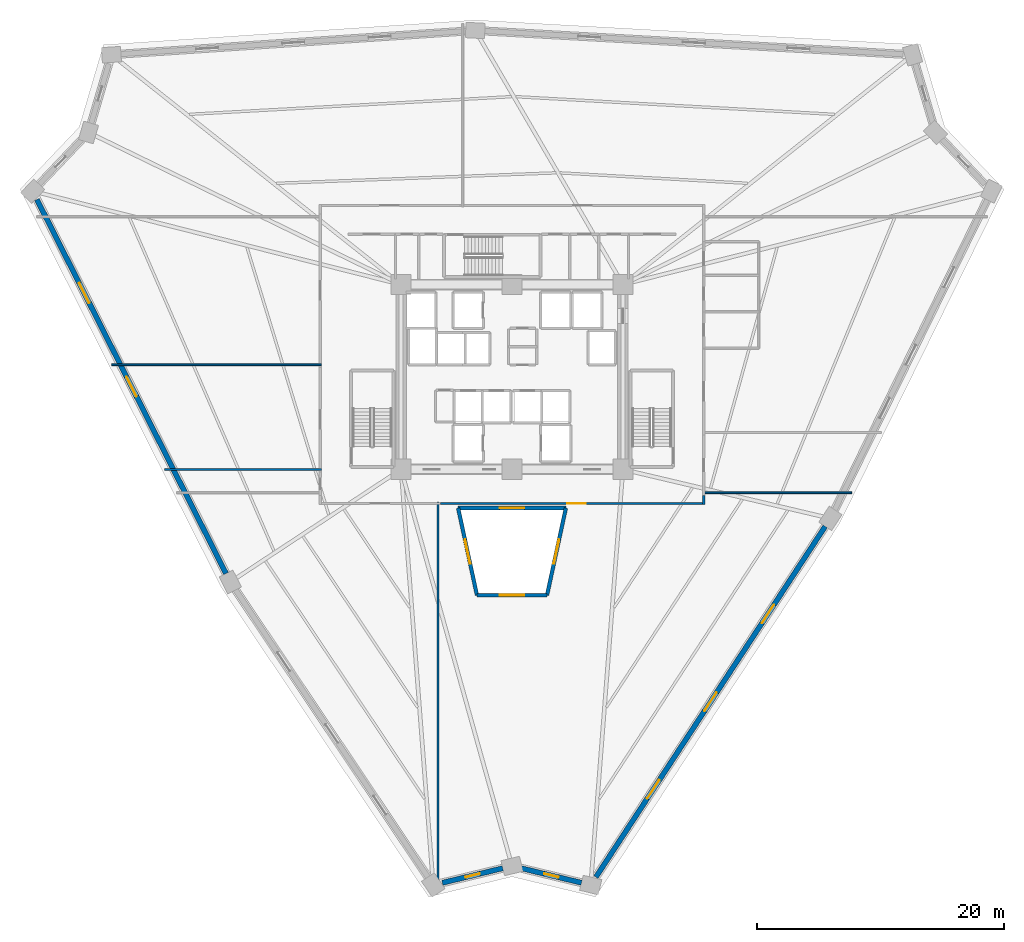
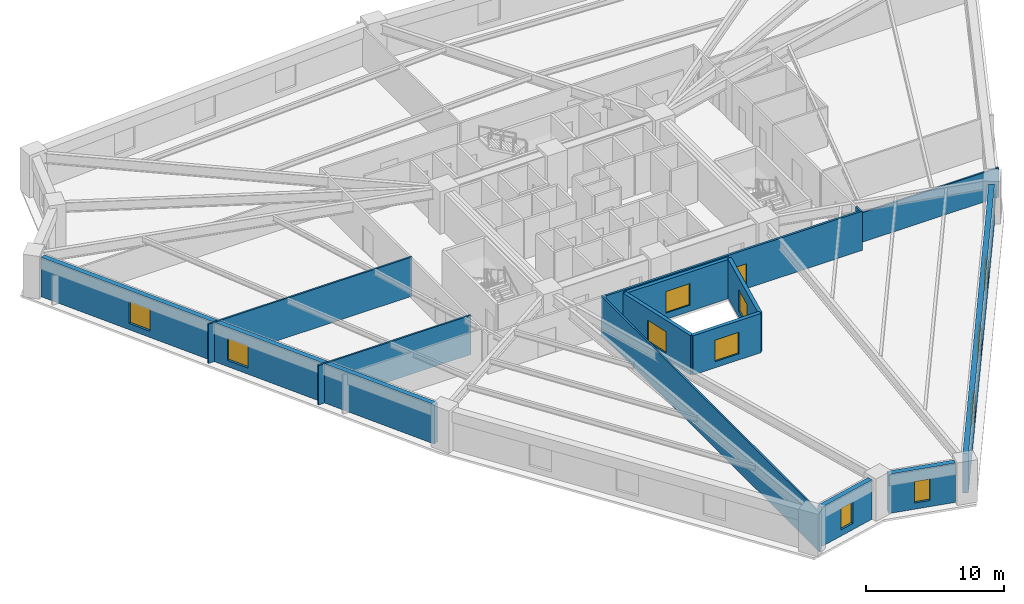
# One storey, part 3 of 8: 14 walls, 11 windows, 1 door, 12 openings.
"""IFC4 building model written with IfcOpenShell, lengths in metres."""

from ifc_helpers import new_model, si_unit, direction, frame, frame_2d, origin, place, context, subcontext, project, spatial, rectangle, extrude, source, transform, mapped, material, layer, layer_set, type_object, element, fill, save


model = new_model("IFC4")

# Units and contexts
model_context = context("Model", 3, precision=1e-05, world=origin(), true_north=direction((0.0, 1.0)))
body_context = subcontext(model_context, "Body", "Model", "MODEL_VIEW")
ifc_project = project(units=[si_unit("LENGTHUNIT", "METRE"), si_unit("AREAUNIT", "SQUARE_METRE"), si_unit("VOLUMEUNIT", "CUBIC_METRE"), si_unit("PLANEANGLEUNIT", "RADIAN"), si_unit("MASSUNIT", "GRAM", prefix="KILO")], contexts=[model_context])

# Site, building, storey
site_placement = place(None, origin())
site = spatial("IfcSite", under=ifc_project, at=site_placement, CompositionType="ELEMENT")
building_placement = place(site_placement, origin())
building = spatial("IfcBuilding", under=site, at=building_placement, Name="Liaohun Quay Tower", CompositionType="ELEMENT")
storey_placement = place(building_placement, frame((0.0, 0.0, 43.5)))
storey = spatial("IfcBuildingStorey", under=building, at=storey_placement, Name="L11", CompositionType="ELEMENT", Elevation=43.5)

# Wall, opening, window
ifc_material_1 = material(Name="Concrete C50", Category="concrete")
ifc_layer_1 = layer(ifc_material_1, 0.300048828125, Name="Concrete C50", Category="concrete")
ifc_layer_set_1 = layer_set([ifc_layer_1], Name="Concrete C50")
wall_type_1 = type_object("IfcWallType", Name="WAL-ATR-300", PredefinedType="SOLIDWALL", material=ifc_layer_set_1)
wall_1_placement = place(storey_placement, frame((57.157958984375, 36.291015625, 0.0), z_axis=(0.0, 0.0, 1.0), x_axis=(-0.211384142555, 0.977403061319, 0.0)))
wall_1 = element("IfcWall", 1, at=wall_1_placement, inside=storey, type_object=wall_type_1, Name="L11 Atrium Fire Compartment Wall 1", PredefinedType="SOLIDWALL", context=body_context, shape_type="SweptSolid", body=[
    extrude(rectangle(XDim=7.24267578125, YDim=0.300048828125, at=frame_2d((3.621337890625, 0.0))), origin(), (0.0, 0.0, 1.0), 3.469970703125),
])
shared_shape_1 = source(origin(), body_context, "Body", "SweptSolid", [
    extrude(rectangle(XDim=2.0, YDim=1.89990234375, at=frame_2d((1.0, 0.949951171875))), frame((0.0, 0.159912109375, 0.0), z_axis=(0.0, -1.0, 0.0), x_axis=(1.0, 0.0, 0.0)), (0.0, 0.0, 1.0), 0.320068359375),
])
opening_1_placement = place(wall_1_placement, frame((2.62109375, 0.0, 0.550048828125)))
opening_1 = element("IfcOpeningElement", 2, at=opening_1_placement, cuts=wall_1, Name="Opening W07", PredefinedType="OPENING", context=body_context, shape_type="MappedRepresentation", body=[
    mapped(shared_shape_1, transform((0.0, 0.0, 0.0), x_axis=(1.0, 0.0, 0.0), y_axis=(0.0, 1.0, 0.0), z_axis=(0.0, 0.0, 1.0), scale=1.0)),
])
ifc_material_2 = material(Name="Class A 180-min fire-resistant insulated glazing", Category="glass")
window_type_1 = type_object("IfcWindowType", Name="WIN-ATR-FIR", PartitioningType="DOUBLE_PANEL_VERTICAL", PredefinedType="WINDOW", material=ifc_material_2)
shared_shape_2 = source(origin(), body_context, "Body", "SweptSolid", [
    extrude(rectangle(XDim=2.0, YDim=1.89990234375, at=frame_2d((1.0, 0.949951171875))), frame((0.0, 0.030029296875, 0.0), z_axis=(0.0, -1.0, 0.0), x_axis=(1.0, 0.0, 0.0)), (0.0, 0.0, 1.0), 0.06005859375),
])
window_1_placement = place(opening_1_placement, origin())
window_1 = element("IfcWindow", 3, at=window_1_placement, inside=storey, type_object=window_type_1, Name="L11 Atrium Fire-Resistant Glazing W07-1", OverallHeight=1.89990234375, OverallWidth=2.0, PartitioningType="DOUBLE_PANEL_VERTICAL", PredefinedType="WINDOW", context=body_context, shape_type="MappedRepresentation", body=[
    mapped(shared_shape_2, transform((0.0, 0.0, 0.0), x_axis=(1.0, 0.0, 0.0), y_axis=(0.0, 1.0, 0.0), z_axis=(0.0, 0.0, 1.0), scale=1.0)),
])
fill(opening_1, window_1)

wall_2_placement = place(storey_placement, frame((55.626953125, 43.3701171875, 0.0), z_axis=(0.0, 0.0, 1.0), x_axis=(1.0, 0.0, 0.0)))
wall_2 = element("IfcWall", 4, at=wall_2_placement, inside=storey, type_object=wall_type_1, Name="L11 Atrium Fire Compartment Wall 2", PredefinedType="SOLIDWALL", context=body_context, shape_type="SweptSolid", body=[
    extrude(rectangle(XDim=8.74609375, YDim=0.300048828125, at=frame_2d((4.373046875, 0.0))), origin(), (0.0, 0.0, 1.0), 3.469970703125),
])
opening_2_placement = place(wall_2_placement, frame((3.373046875, 0.0, 0.550048828125)))
opening_2 = element("IfcOpeningElement", 5, at=opening_2_placement, cuts=wall_2, Name="Opening W07", PredefinedType="OPENING", context=body_context, shape_type="MappedRepresentation", body=[
    mapped(shared_shape_1, transform((0.0, 0.0, 0.0), x_axis=(1.0, 0.0, 0.0), y_axis=(0.0, 1.0, 0.0), z_axis=(0.0, 0.0, 1.0), scale=1.0)),
])
window_2_placement = place(opening_2_placement, origin())
window_2 = element("IfcWindow", 6, at=window_2_placement, inside=storey, type_object=window_type_1, Name="L11 Atrium Fire-Resistant Glazing W07-2", OverallHeight=1.89990234375, OverallWidth=2.0, PartitioningType="DOUBLE_PANEL_VERTICAL", PredefinedType="WINDOW", context=body_context, shape_type="MappedRepresentation", body=[
    mapped(shared_shape_2, transform((0.0, 0.0, 0.0), x_axis=(1.0, 0.0, 0.0), y_axis=(0.0, 1.0, 0.0), z_axis=(0.0, 0.0, 1.0), scale=1.0)),
])
fill(opening_2, window_2)

wall_3_placement = place(storey_placement, frame((64.373046875, 43.3701171875, 0.0), z_axis=(0.0, 0.0, 1.0), x_axis=(-0.211384142555, -0.977403061319, 0.0)))
wall_3 = element("IfcWall", 7, at=wall_3_placement, inside=storey, type_object=wall_type_1, Name="L11 Atrium Fire Compartment Wall 3", PredefinedType="SOLIDWALL", context=body_context, shape_type="SweptSolid", body=[
    extrude(rectangle(XDim=7.24267578125, YDim=0.300048828125, at=frame_2d((3.621337890625, 0.0))), origin(), (0.0, 0.0, 1.0), 3.469970703125),
])
opening_3_placement = place(wall_3_placement, frame((2.62109375, 0.0, 0.550048828125)))
opening_3 = element("IfcOpeningElement", 8, at=opening_3_placement, cuts=wall_3, Name="Opening W07", PredefinedType="OPENING", context=body_context, shape_type="MappedRepresentation", body=[
    mapped(shared_shape_1, transform((0.0, 0.0, 0.0), x_axis=(1.0, 0.0, 0.0), y_axis=(0.0, 1.0, 0.0), z_axis=(0.0, 0.0, 1.0), scale=1.0)),
])
window_3_placement = place(opening_3_placement, origin())
window_3 = element("IfcWindow", 9, at=window_3_placement, inside=storey, type_object=window_type_1, Name="L11 Atrium Fire-Resistant Glazing W07-3", OverallHeight=1.89990234375, OverallWidth=2.0, PartitioningType="DOUBLE_PANEL_VERTICAL", PredefinedType="WINDOW", context=body_context, shape_type="MappedRepresentation", body=[
    mapped(shared_shape_2, transform((0.0, 0.0, 0.0), x_axis=(1.0, 0.0, 0.0), y_axis=(0.0, 1.0, 0.0), z_axis=(0.0, 0.0, 1.0), scale=1.0)),
])
fill(opening_3, window_3)

wall_4_placement = place(storey_placement, frame((62.842041015625, 36.291015625, 0.0), z_axis=(0.0, 0.0, 1.0), x_axis=(-1.0, 0.0, 0.0)))
wall_4 = element("IfcWall", 10, at=wall_4_placement, inside=storey, type_object=wall_type_1, Name="L11 Atrium Fire Compartment Wall 4", PredefinedType="SOLIDWALL", context=body_context, shape_type="SweptSolid", body=[
    extrude(rectangle(XDim=5.68408203125, YDim=0.300048828125, at=frame_2d((2.842041015625, 0.0))), origin(), (0.0, 0.0, 1.0), 3.469970703125),
])
opening_4_placement = place(wall_4_placement, frame((1.842041015625, 0.0, 0.550048828125)))
opening_4 = element("IfcOpeningElement", 11, at=opening_4_placement, cuts=wall_4, Name="Opening W07", PredefinedType="OPENING", context=body_context, shape_type="MappedRepresentation", body=[
    mapped(shared_shape_1, transform((0.0, 0.0, 0.0), x_axis=(1.0, 0.0, 0.0), y_axis=(0.0, 1.0, 0.0), z_axis=(0.0, 0.0, 1.0), scale=1.0)),
])
window_4_placement = place(opening_4_placement, origin())
window_4 = element("IfcWindow", 12, at=window_4_placement, inside=storey, type_object=window_type_1, Name="L11 Atrium Fire-Resistant Glazing W07-4", OverallHeight=1.89990234375, OverallWidth=2.0, PartitioningType="DOUBLE_PANEL_VERTICAL", PredefinedType="WINDOW", context=body_context, shape_type="MappedRepresentation", body=[
    mapped(shared_shape_2, transform((0.0, 0.0, 0.0), x_axis=(1.0, 0.0, 0.0), y_axis=(0.0, 1.0, 0.0), z_axis=(0.0, 0.0, 1.0), scale=1.0)),
])
fill(opening_4, window_4)

ifc_material_3 = material(Name="Precast concrete C50 insulated sandwich", Category="concrete")
ifc_layer_2 = layer(ifc_material_3, 0.419921875, Name="Precast concrete C50 insulated sandwich", Category="concrete")
ifc_layer_set_2 = layer_set([ifc_layer_2], Name="Precast concrete C50 insulated sandwich")
wall_type_2 = type_object("IfcWallType", Name="WAL-EXT-Z12", PredefinedType="SOLIDWALL", material=ifc_layer_set_2)
wall_5_placement = place(storey_placement, frame((60.743896484375, 14.14404296875, 0.0), z_axis=(0.0, 0.0, 1.0), x_axis=(0.972101636789, -0.234560030166, 0.0)))
wall_5 = element("IfcWall", 13, at=wall_5_placement, inside=storey, type_object=wall_type_2, Name="L11 Brutalist Precast Pier Wall 01", PredefinedType="SOLIDWALL", context=body_context, shape_type="SweptSolid", body=[
    extrude(rectangle(XDim=5.039794921875, YDim=0.419921875, at=frame_2d((2.52001953125, 0.0))), origin(), (0.0, 0.0, 1.0), 3.469970703125),
])
shared_shape_3 = source(origin(), body_context, "Body", "SweptSolid", [
    extrude(rectangle(XDim=1.199951171875, YDim=1.89990234375, at=frame_2d((0.60009765625, 0.949951171875))), frame((0.0, 0.219970703125, 0.0), z_axis=(0.0, -1.0, 0.0), x_axis=(1.0, 0.0, 0.0)), (0.0, 0.0, 1.0), 0.43994140625),
])
opening_5_placement = place(wall_5_placement, frame((1.919921875, 0.0, 0.550048828125)))
opening_5 = element("IfcOpeningElement", 14, at=opening_5_placement, cuts=wall_5, Name="Opening W05", PredefinedType="OPENING", context=body_context, shape_type="MappedRepresentation", body=[
    mapped(shared_shape_3, transform((0.0, 0.0, 0.0), x_axis=(1.0, 0.0, 0.0), y_axis=(0.0, 1.0, 0.0), z_axis=(0.0, 0.0, 1.0), scale=1.0)),
])
ifc_material_4 = material(Name="Triple Low-E corner notch glazing", Category="glass")
window_type_2 = type_object("IfcWindowType", Name="WIN-NOTCH", PartitioningType="SINGLE_PANEL", PredefinedType="WINDOW", material=ifc_material_4)
shared_shape_4 = source(origin(), body_context, "Body", "SweptSolid", [
    extrude(rectangle(XDim=1.199951171875, YDim=1.89990234375, at=frame_2d((0.60009765625, 0.949951171875))), frame((0.0, 0.030029296875, 0.0), z_axis=(0.0, -1.0, 0.0), x_axis=(1.0, 0.0, 0.0)), (0.0, 0.0, 1.0), 0.06005859375),
])
window_5_placement = place(opening_5_placement, origin())
window_5 = element("IfcWindow", 15, at=window_5_placement, inside=storey, type_object=window_type_2, Name="L11 Corner Notch Window W05-01", OverallHeight=1.89990234375, OverallWidth=1.199951171875, PartitioningType="SINGLE_PANEL", PredefinedType="WINDOW", context=body_context, shape_type="MappedRepresentation", body=[
    mapped(shared_shape_4, transform((0.0, 0.0, 0.0), x_axis=(1.0, 0.0, 0.0), y_axis=(0.0, 1.0, 0.0), z_axis=(0.0, 0.0, 1.0), scale=1.0)),
])
fill(opening_5, window_5)

# Wall, openings, windows
wall_6_placement = place(storey_placement, frame((66.805908203125, 13.422119140625, 0.0), z_axis=(0.0, 0.0, 1.0), x_axis=(0.547237369938, 0.836977455457, 0.0)))
wall_6 = element("IfcWall", 16, at=wall_6_placement, inside=storey, type_object=wall_type_2, Name="L11 Brutalist Precast Pier Wall 02", PredefinedType="SOLIDWALL", context=body_context, shape_type="SweptSolid", body=[
    extrude(rectangle(XDim=34.005615234375, YDim=0.419921875, at=frame_2d((17.0029296875, 0.0))), origin(), (0.0, 0.0, 1.0), 3.469970703125),
])
shared_shape_5 = source(origin(), body_context, "Body", "SweptSolid", [
    extrude(rectangle(XDim=1.800048828125, YDim=1.949951171875, at=frame_2d((0.89990234375, 0.97509765625))), frame((0.0, 0.219970703125, 0.0), z_axis=(0.0, -1.0, 0.0), x_axis=(1.0, 0.0, 0.0)), (0.0, 0.0, 1.0), 0.43994140625),
])
opening_6_placement = place(wall_6_placement, frame((7.60107421875, 0.0, 0.550048828125)))
opening_6 = element("IfcOpeningElement", 17, at=opening_6_placement, cuts=wall_6, Name="Opening W01", PredefinedType="OPENING", context=body_context, shape_type="MappedRepresentation", body=[
    mapped(shared_shape_5, transform((0.0, 0.0, 0.0), x_axis=(1.0, 0.0, 0.0), y_axis=(0.0, 1.0, 0.0), z_axis=(0.0, 0.0, 1.0), scale=1.0)),
])
opening_7_placement = place(wall_6_placement, frame((16.10302734375, 0.0, 0.550048828125)))
opening_7 = element("IfcOpeningElement", 18, at=opening_7_placement, cuts=wall_6, Name="Opening W01", PredefinedType="OPENING", context=body_context, shape_type="MappedRepresentation", body=[
    mapped(shared_shape_5, transform((0.0, 0.0, 0.0), x_axis=(1.0, 0.0, 0.0), y_axis=(0.0, 1.0, 0.0), z_axis=(0.0, 0.0, 1.0), scale=1.0)),
])
opening_8_placement = place(wall_6_placement, frame((24.60400390625, 0.0, 0.550048828125)))
opening_8 = element("IfcOpeningElement", 19, at=opening_8_placement, cuts=wall_6, Name="Opening W01", PredefinedType="OPENING", context=body_context, shape_type="MappedRepresentation", body=[
    mapped(shared_shape_5, transform((0.0, 0.0, 0.0), x_axis=(1.0, 0.0, 0.0), y_axis=(0.0, 1.0, 0.0), z_axis=(0.0, 0.0, 1.0), scale=1.0)),
])
ifc_material_5 = material(Name="Triple Low-E argon glazing in thermally broken aluminium", Category="aluminium")
window_type_3 = type_object("IfcWindowType", Name="WIN-PUN-Z1", PartitioningType="DOUBLE_PANEL_VERTICAL", PredefinedType="WINDOW", material=ifc_material_5)
shared_shape_6 = source(origin(), body_context, "Body", "SweptSolid", [
    extrude(rectangle(XDim=1.800048828125, YDim=1.949951171875, at=frame_2d((0.89990234375, 0.97509765625))), frame((0.0, 0.030029296875, 0.0), z_axis=(0.0, -1.0, 0.0), x_axis=(1.0, 0.0, 0.0)), (0.0, 0.0, 1.0), 0.06005859375),
])
window_6_placement = place(opening_6_placement, origin())
window_6 = element("IfcWindow", 20, at=window_6_placement, inside=storey, type_object=window_type_3, Name="L11 Recessed Cold-Climate Punched Window 02-1", OverallHeight=1.949951171875, OverallWidth=1.800048828125, PartitioningType="DOUBLE_PANEL_VERTICAL", PredefinedType="WINDOW", context=body_context, shape_type="MappedRepresentation", body=[
    mapped(shared_shape_6, transform((0.0, 0.0, 0.0), x_axis=(1.0, 0.0, 0.0), y_axis=(0.0, 1.0, 0.0), z_axis=(0.0, 0.0, 1.0), scale=1.0)),
])
fill(opening_6, window_6)
window_7_placement = place(opening_7_placement, origin())
window_7 = element("IfcWindow", 21, at=window_7_placement, inside=storey, type_object=window_type_3, Name="L11 Recessed Cold-Climate Punched Window 02-2", OverallHeight=1.949951171875, OverallWidth=1.800048828125, PartitioningType="DOUBLE_PANEL_VERTICAL", PredefinedType="WINDOW", context=body_context, shape_type="MappedRepresentation", body=[
    mapped(shared_shape_6, transform((0.0, 0.0, 0.0), x_axis=(1.0, 0.0, 0.0), y_axis=(0.0, 1.0, 0.0), z_axis=(0.0, 0.0, 1.0), scale=1.0)),
])
fill(opening_7, window_7)
window_8_placement = place(opening_8_placement, origin())
window_8 = element("IfcWindow", 22, at=window_8_placement, inside=storey, type_object=window_type_3, Name="L11 Recessed Cold-Climate Punched Window 02-3", OverallHeight=1.949951171875, OverallWidth=1.800048828125, PartitioningType="DOUBLE_PANEL_VERTICAL", PredefinedType="WINDOW", context=body_context, shape_type="MappedRepresentation", body=[
    mapped(shared_shape_6, transform((0.0, 0.0, 0.0), x_axis=(1.0, 0.0, 0.0), y_axis=(0.0, 1.0, 0.0), z_axis=(0.0, 0.0, 1.0), scale=1.0)),
])
fill(opening_8, window_8)

wall_7_placement = place(storey_placement, frame((21.4560546875, 68.39501953125, 0.0), z_axis=(0.0, 0.0, 1.0), x_axis=(0.451198099626, -0.892423820219, 0.0)))
wall_7 = element("IfcWall", 23, at=wall_7_placement, inside=storey, type_object=wall_type_2, Name="L11 Brutalist Precast Pier Wall 10", PredefinedType="SOLIDWALL", context=body_context, shape_type="SweptSolid", body=[
    extrude(rectangle(XDim=34.005126953125, YDim=0.419921875, at=frame_2d((17.00244140625, 0.0))), origin(), (0.0, 0.0, 1.0), 3.469970703125),
])
opening_9_placement = place(wall_7_placement, frame((7.60107421875, 0.0, 0.550048828125)))
opening_9 = element("IfcOpeningElement", 24, at=opening_9_placement, cuts=wall_7, Name="Opening W01", PredefinedType="OPENING", context=body_context, shape_type="MappedRepresentation", body=[
    mapped(shared_shape_5, transform((0.0, 0.0, 0.0), x_axis=(1.0, 0.0, 0.0), y_axis=(0.0, 1.0, 0.0), z_axis=(0.0, 0.0, 1.0), scale=1.0)),
])
opening_10_placement = place(wall_7_placement, frame((16.10302734375, 0.0, 0.550048828125)))
opening_10 = element("IfcOpeningElement", 25, at=opening_10_placement, cuts=wall_7, Name="Opening W01", PredefinedType="OPENING", context=body_context, shape_type="MappedRepresentation", body=[
    mapped(shared_shape_5, transform((0.0, 0.0, 0.0), x_axis=(1.0, 0.0, 0.0), y_axis=(0.0, 1.0, 0.0), z_axis=(0.0, 0.0, 1.0), scale=1.0)),
])
window_9_placement = place(opening_9_placement, origin())
window_9 = element("IfcWindow", 26, at=window_9_placement, inside=storey, type_object=window_type_3, Name="L11 Recessed Cold-Climate Punched Window 10-1", OverallHeight=1.949951171875, OverallWidth=1.800048828125, PartitioningType="DOUBLE_PANEL_VERTICAL", PredefinedType="WINDOW", context=body_context, shape_type="MappedRepresentation", body=[
    mapped(shared_shape_6, transform((0.0, 0.0, 0.0), x_axis=(1.0, 0.0, 0.0), y_axis=(0.0, 1.0, 0.0), z_axis=(0.0, 0.0, 1.0), scale=1.0)),
])
fill(opening_9, window_9)
window_10_placement = place(opening_10_placement, origin())
window_10 = element("IfcWindow", 27, at=window_10_placement, inside=storey, type_object=window_type_3, Name="L11 Recessed Cold-Climate Punched Window 10-2", OverallHeight=1.949951171875, OverallWidth=1.800048828125, PartitioningType="DOUBLE_PANEL_VERTICAL", PredefinedType="WINDOW", context=body_context, shape_type="MappedRepresentation", body=[
    mapped(shared_shape_6, transform((0.0, 0.0, 0.0), x_axis=(1.0, 0.0, 0.0), y_axis=(0.0, 1.0, 0.0), z_axis=(0.0, 0.0, 1.0), scale=1.0)),
])
fill(opening_10, window_10)

# Wall, opening, window
wall_8_placement = place(storey_placement, frame((54.35107421875, 12.9599609375, 0.0), z_axis=(0.0, 0.0, 1.0), x_axis=(0.972077261258, 0.234661028177, 0.0)))
wall_8 = element("IfcWall", 28, at=wall_8_placement, inside=storey, type_object=wall_type_2, Name="L11 Brutalist Precast Pier Wall 12", PredefinedType="SOLIDWALL", context=body_context, shape_type="SweptSolid", body=[
    extrude(rectangle(XDim=5.0458984375, YDim=0.419921875, at=frame_2d((2.52294921875, 0.0))), origin(), (0.0, 0.0, 1.0), 3.469970703125),
])
opening_11_placement = place(wall_8_placement, frame((1.923095703125, 0.0, 0.550048828125)))
opening_11 = element("IfcOpeningElement", 29, at=opening_11_placement, cuts=wall_8, Name="Opening W05", PredefinedType="OPENING", context=body_context, shape_type="MappedRepresentation", body=[
    mapped(shared_shape_3, transform((0.0, 0.0, 0.0), x_axis=(1.0, 0.0, 0.0), y_axis=(0.0, 1.0, 0.0), z_axis=(0.0, 0.0, 1.0), scale=1.0)),
])
window_11_placement = place(opening_11_placement, origin())
window_11 = element("IfcWindow", 30, at=window_11_placement, inside=storey, type_object=window_type_2, Name="L11 Corner Notch Window W05-12", OverallHeight=1.89990234375, OverallWidth=1.199951171875, PartitioningType="SINGLE_PANEL", PredefinedType="WINDOW", context=body_context, shape_type="MappedRepresentation", body=[
    mapped(shared_shape_4, transform((0.0, 0.0, 0.0), x_axis=(1.0, 0.0, 0.0), y_axis=(0.0, 1.0, 0.0), z_axis=(0.0, 0.0, 1.0), scale=1.0)),
])
fill(opening_11, window_11)

# Wall, opening, door
ifc_material_6 = material(Name="Autoclaved aerated concrete blockwork", Category="masonry")
ifc_layer_3 = layer(ifc_material_6, 0.179931640625, Name="Autoclaved aerated concrete blockwork", Category="masonry")
ifc_layer_set_3 = layer_set([ifc_layer_3], Name="Autoclaved aerated concrete blockwork")
wall_type_3 = type_object("IfcWallType", Name="WAL-PRT-COR", PredefinedType="PARTITIONING", material=ifc_layer_set_3)
wall_9_placement = place(storey_placement, frame((75.6298828125, 43.739990234375, 0.0), z_axis=(0.0, 0.0, 1.0), x_axis=(-1.0, 0.0, 0.0)))
wall_9 = element("IfcWall", 31, at=wall_9_placement, inside=storey, type_object=wall_type_3, Name="L11 Interior Partition Wall 021", PredefinedType="PARTITIONING", context=body_context, shape_type="SweptSolid", body=[
    extrude(rectangle(XDim=21.414794921875, YDim=0.179931640625, at=frame_2d((10.70751953125, 0.0))), origin(), (0.0, 0.0, 1.0), 3.469970703125),
])
shared_shape_7 = source(origin(), body_context, "Body", "SweptSolid", [
    extrude(rectangle(XDim=1.5, YDim=2.199951171875, at=frame_2d((0.75, 1.10009765625))), frame((0.0, 0.099853515625, 0.0), z_axis=(0.0, -1.0, 0.0), x_axis=(1.0, 0.0, 0.0)), (0.0, 0.0, 1.0), 0.199951171875),
])
opening_12_placement = place(wall_9_placement, frame((9.656982421875, 0.0, 0.0)))
opening_12 = element("IfcOpeningElement", 32, at=opening_12_placement, cuts=wall_9, Name="Opening OD2", PredefinedType="OPENING", context=body_context, shape_type="MappedRepresentation", body=[
    mapped(shared_shape_7, transform((0.0, 0.0, 0.0), x_axis=(1.0, 0.0, 0.0), y_axis=(0.0, 1.0, 0.0), z_axis=(0.0, 0.0, 1.0), scale=1.0)),
])
ifc_material_7 = material(Name="Acoustic oak veneer double door")
door_type = type_object("IfcDoorType", Name="DOR-OFF-1500", OperationType="DOUBLE_DOOR_SINGLE_SWING", PredefinedType="DOOR", material=ifc_material_7)
shared_shape_8 = source(origin(), body_context, "Body", "SweptSolid", [
    extrude(rectangle(XDim=1.5, YDim=2.199951171875, at=frame_2d((0.75, 1.10009765625))), frame((0.0, 0.02490234375, 0.0), z_axis=(0.0, -1.0, 0.0), x_axis=(1.0, 0.0, 0.0)), (0.0, 0.0, 1.0), 0.050048828125),
])
door_placement = place(opening_12_placement, origin())
door = element("IfcDoor", 33, at=door_placement, inside=storey, type_object=door_type, Name="L11 Staff Daycare Nursery 08 Door", OperationType="DOUBLE_DOOR_SINGLE_SWING", OverallHeight=2.199951171875, OverallWidth=1.5, PredefinedType="DOOR", context=body_context, shape_type="MappedRepresentation", body=[
    mapped(shared_shape_8, transform((0.0, 0.0, 0.0), x_axis=(1.0, 0.0, 0.0), y_axis=(0.0, 1.0, 0.0), z_axis=(0.0, 0.0, 1.0), scale=1.0)),
])
fill(opening_12, door)

# Walls
wall_10_placement = place(storey_placement, frame((75.56005859375, 44.385009765625, 0.0), z_axis=(0.0, 0.0, 1.0), x_axis=(0.0, -1.0, 0.0)))
element("IfcWall", 34, at=wall_10_placement, inside=storey, type_object=wall_type_3, Name="L11 Interior Partition Wall 042", PredefinedType="PARTITIONING", context=body_context, shape_type="SweptSolid", body=[
    extrude(rectangle(XDim=0.715087890625, YDim=0.179931640625, at=frame_2d((0.357421875, 0.0))), origin(), (0.0, 0.0, 1.0), 3.469970703125),
])
ifc_material_8 = material(Name="Gypsum board on twin steel studs", Category="steel")
ifc_layer_4 = layer(ifc_material_8, 0.139892578125, Name="Gypsum board on twin steel studs", Category="steel")
ifc_layer_set_4 = layer_set([ifc_layer_4], Name="Gypsum board on twin steel studs")
wall_type_4 = type_object("IfcWallType", Name="WAL-PRT-OFF", PredefinedType="PARTITIONING", material=ifc_layer_set_4)
wall_11_placement = place(storey_placement, frame((44.5400390625, 46.5, 0.0), z_axis=(0.0, 0.0, 1.0), x_axis=(-1.0, 0.0, 0.0)))
element("IfcWall", 35, at=wall_11_placement, inside=storey, type_object=wall_type_4, Name="L11 Interior Partition Wall 044", PredefinedType="PARTITIONING", context=body_context, shape_type="SweptSolid", body=[
    extrude(rectangle(XDim=12.719970703125, YDim=0.139892578125, at=frame_2d((6.35986328125, 0.0))), origin(), (0.0, 0.0, 1.0), 3.469970703125),
])
wall_12_placement = place(storey_placement, frame((44.5400390625, 55.0, 0.0), z_axis=(0.0, 0.0, 1.0), x_axis=(-1.0, 0.0, 0.0)))
element("IfcWall", 36, at=wall_12_placement, inside=storey, type_object=wall_type_4, Name="L11 Interior Partition Wall 045", PredefinedType="PARTITIONING", context=body_context, shape_type="SweptSolid", body=[
    extrude(rectangle(XDim=17.01708984375, YDim=0.139892578125, at=frame_2d((8.508544921875, 0.0))), origin(), (0.0, 0.0, 1.0), 3.469970703125),
])
wall_13_placement = place(storey_placement, frame((75.4599609375, 44.60009765625, 0.0), z_axis=(0.0, 0.0, 1.0), x_axis=(1.0, 0.0, 0.0)))
element("IfcWall", 37, at=wall_13_placement, inside=storey, type_object=wall_type_4, Name="L11 Interior Partition Wall 047", PredefinedType="PARTITIONING", context=body_context, shape_type="SweptSolid", body=[
    extrude(rectangle(XDim=12.09814453125, YDim=0.139892578125, at=frame_2d((6.049072265625, 0.0))), origin(), (0.0, 0.0, 1.0), 2.60498046875),
])
wall_14_placement = place(storey_placement, frame((54.0, 43.840087890625, 0.0), z_axis=(0.0, 0.0, 1.0), x_axis=(0.0, -1.0, 0.0)))
element("IfcWall", 38, at=wall_14_placement, inside=storey, type_object=wall_type_4, Name="L11 Interior Partition Wall 051", PredefinedType="PARTITIONING", context=body_context, shape_type="SweptSolid", body=[
    extrude(rectangle(XDim=31.613037109375, YDim=0.139892578125, at=frame_2d((15.806640625, 0.0))), origin(), (0.0, 0.0, 1.0), 3.469970703125),
])

save(model, "model.ifc")
